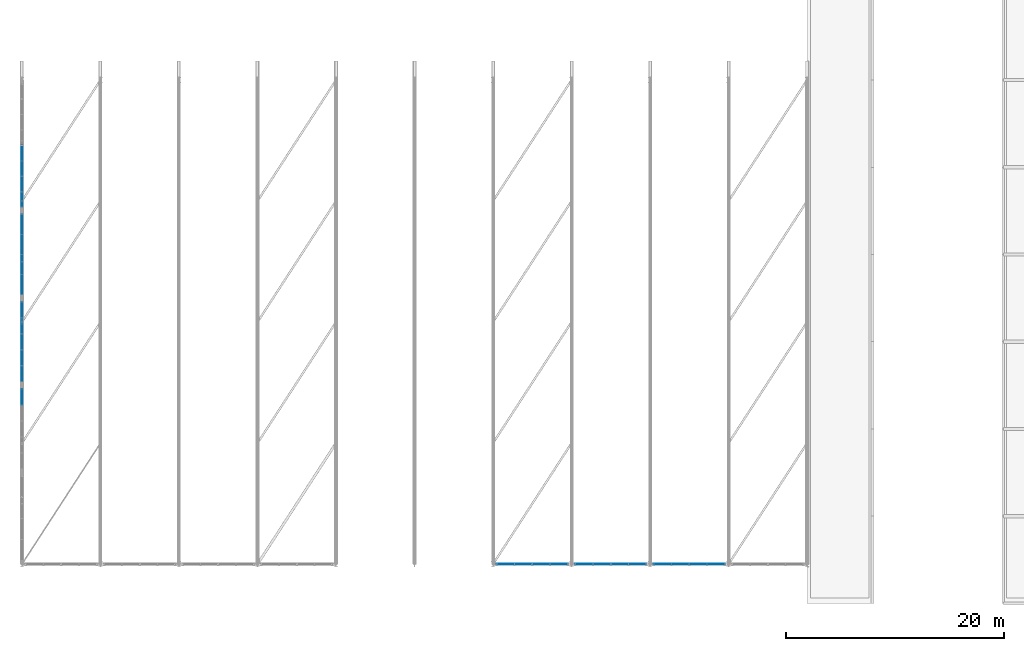
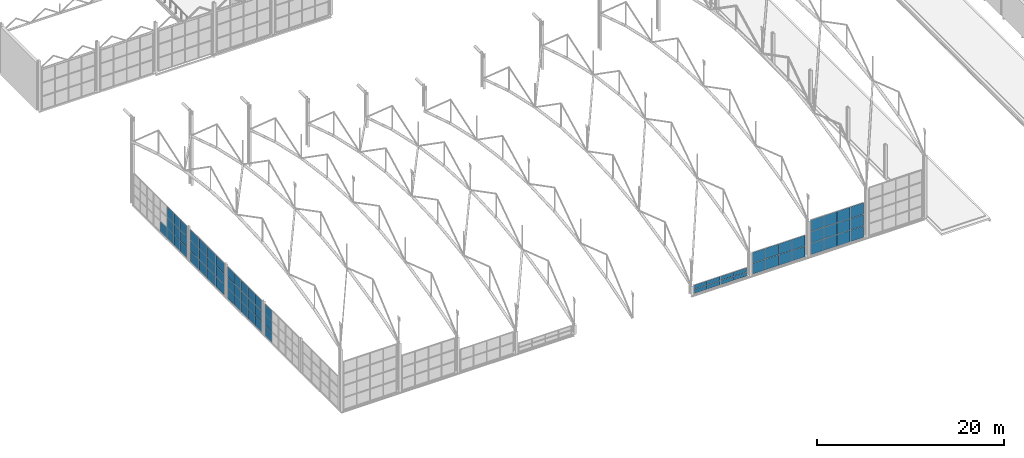
# One storey, part 121 of 153: 68 plates, 7 elements without a shape of their own.
"""IFC4 building model written with IfcOpenShell, lengths in metres."""

from ifc_helpers import new_model, si_unit, derived_unit, direction, frame, origin, origin_2d, place, context, subcontext, project, spatial, rectangle, extrude, material, layer, layer_set, type_object, element, aggregate, save


model = new_model("IFC4")

# Units and contexts
model_context = context("Model", 3, precision=1e-05, world=origin(), true_north=direction((0.0, 1.0)))
body_context = subcontext(model_context, "Body", "Model", "MODEL_VIEW")
ifc_project = project(units=[si_unit("LENGTHUNIT", "METRE"), si_unit("AREAUNIT", "SQUARE_METRE"), si_unit("VOLUMEUNIT", "CUBIC_METRE"), si_unit("PLANEANGLEUNIT", "RADIAN"), si_unit("MASSUNIT", "GRAM", prefix="KILO"), derived_unit("THERMALTRANSMITTANCEUNIT", [(si_unit("POWERUNIT", "WATT"), 1), (si_unit("LENGTHUNIT", "METRE"), -2), (si_unit("THERMODYNAMICTEMPERATUREUNIT", "KELVIN"), -1)])], contexts=[model_context])

# Site, building, storey
site_placement = place(None, origin())
site = spatial("IfcSite", under=ifc_project, at=site_placement, CompositionType="ELEMENT")
building_placement = place(site_placement, origin())
building = spatial("IfcBuilding", under=site, at=building_placement, Name="Keldorne Ridge Multi-Sports Centre", CompositionType="ELEMENT")
storey_placement = place(building_placement, frame((0.0, 0.0, 9.60009765625)))
storey = spatial("IfcBuildingStorey", under=building, at=storey_placement, Name="L02", CompositionType="ELEMENT", Elevation=9.60009765625)

# Curtain wall, plates
ifc_material_1 = material(Name="Anodized aluminium", Category="aluminium")
curtain_wall_type_1 = type_object("IfcCurtainWallType", Name="CW-CW-02", PredefinedType="NOTDEFINED", material=ifc_material_1)
curtain_wall_1_placement = place(storey_placement, origin())
curtain_wall_1 = element("IfcCurtainWall", 1, at=curtain_wall_1_placement, inside=storey, type_object=curtain_wall_type_1, Name="Main Hall south high clerestory 018", PredefinedType="NOTDEFINED")
ifc_material_2 = material(Name="Double low-e insulated glazing", Category="glass")
ifc_layer = layer(ifc_material_2, 0.035888671875)
ifc_layer_set = layer_set([ifc_layer])
plate_type = type_object("IfcPlateType", Name="PLT-GL-01", PredefinedType="CURTAIN_PANEL", material=ifc_layer_set)
plate_1_placement = place(storey_placement, frame((50.35498046875, 9.60009765625, 0.019775390625), z_axis=(0.0, 0.0, 1.0), x_axis=(1.0, 0.0, 0.0)))
plate_1 = element("IfcPlate", 2, at=plate_1_placement, type_object=plate_type, Name="CW-018 glazed panel 1.1", PredefinedType="CURTAIN_PANEL", context=body_context, shape_type="SweptSolid", body=[
    extrude(rectangle(XDim=1.590087890625, YDim=0.035888671875, at=origin_2d()), origin(), (0.0, 0.0, 1.0), 0.52001953125),
])
plate_2_placement = place(storey_placement, frame((50.35498046875, 9.60009765625, 0.579833984375), z_axis=(0.0, 0.0, 1.0), x_axis=(1.0, 0.0, 0.0)))
plate_2 = element("IfcPlate", 3, at=plate_2_placement, type_object=plate_type, Name="CW-018 glazed panel 1.2", PredefinedType="CURTAIN_PANEL", context=body_context, shape_type="SweptSolid", body=[
    extrude(rectangle(XDim=1.590087890625, YDim=0.035888671875, at=origin_2d()), origin(), (0.0, 0.0, 1.0), 0.52001953125),
])
plate_3_placement = place(storey_placement, frame((51.985107421875, 9.60009765625, 0.019775390625), z_axis=(0.0, 0.0, 1.0), x_axis=(1.0, 0.0, 0.0)))
plate_3 = element("IfcPlate", 4, at=plate_3_placement, type_object=plate_type, Name="CW-018 glazed panel 2.1", PredefinedType="CURTAIN_PANEL", context=body_context, shape_type="SweptSolid", body=[
    extrude(rectangle(XDim=1.590087890625, YDim=0.035888671875, at=origin_2d()), origin(), (0.0, 0.0, 1.0), 0.52001953125),
])
plate_4_placement = place(storey_placement, frame((51.985107421875, 9.60009765625, 0.579833984375), z_axis=(0.0, 0.0, 1.0), x_axis=(1.0, 0.0, 0.0)))
plate_4 = element("IfcPlate", 5, at=plate_4_placement, type_object=plate_type, Name="CW-018 glazed panel 2.2", PredefinedType="CURTAIN_PANEL", context=body_context, shape_type="SweptSolid", body=[
    extrude(rectangle(XDim=1.590087890625, YDim=0.035888671875, at=origin_2d()), origin(), (0.0, 0.0, 1.0), 0.52001953125),
])
plate_5_placement = place(storey_placement, frame((53.614990234375, 9.60009765625, 0.019775390625), z_axis=(0.0, 0.0, 1.0), x_axis=(1.0, 0.0, 0.0)))
plate_5 = element("IfcPlate", 6, at=plate_5_placement, type_object=plate_type, Name="CW-018 glazed panel 3.1", PredefinedType="CURTAIN_PANEL", context=body_context, shape_type="SweptSolid", body=[
    extrude(rectangle(XDim=1.590087890625, YDim=0.035888671875, at=origin_2d()), origin(), (0.0, 0.0, 1.0), 0.52001953125),
])
plate_6_placement = place(storey_placement, frame((53.614990234375, 9.60009765625, 0.579833984375), z_axis=(0.0, 0.0, 1.0), x_axis=(1.0, 0.0, 0.0)))
plate_6 = element("IfcPlate", 7, at=plate_6_placement, type_object=plate_type, Name="CW-018 glazed panel 3.2", PredefinedType="CURTAIN_PANEL", context=body_context, shape_type="SweptSolid", body=[
    extrude(rectangle(XDim=1.590087890625, YDim=0.035888671875, at=origin_2d()), origin(), (0.0, 0.0, 1.0), 0.52001953125),
])
plate_7_placement = place(storey_placement, frame((55.2451171875, 9.60009765625, 0.019775390625), z_axis=(0.0, 0.0, 1.0), x_axis=(1.0, 0.0, 0.0)))
plate_7 = element("IfcPlate", 8, at=plate_7_placement, type_object=plate_type, Name="CW-018 glazed panel 4.1", PredefinedType="CURTAIN_PANEL", context=body_context, shape_type="SweptSolid", body=[
    extrude(rectangle(XDim=1.590087890625, YDim=0.035888671875, at=origin_2d()), origin(), (0.0, 0.0, 1.0), 0.52001953125),
])
plate_8_placement = place(storey_placement, frame((55.2451171875, 9.60009765625, 0.579833984375), z_axis=(0.0, 0.0, 1.0), x_axis=(1.0, 0.0, 0.0)))
plate_8 = element("IfcPlate", 9, at=plate_8_placement, type_object=plate_type, Name="CW-018 glazed panel 4.2", PredefinedType="CURTAIN_PANEL", context=body_context, shape_type="SweptSolid", body=[
    extrude(rectangle(XDim=1.590087890625, YDim=0.035888671875, at=origin_2d()), origin(), (0.0, 0.0, 1.0), 0.52001953125),
])
aggregate(curtain_wall_1, [plate_1, plate_2, plate_3, plate_4, plate_5, plate_6, plate_7, plate_8])

curtain_wall_type_2 = type_object("IfcCurtainWallType", Name="CW-CW-05", PredefinedType="NOTDEFINED", material=ifc_material_1)
curtain_wall_2_placement = place(storey_placement, origin())
curtain_wall_2 = element("IfcCurtainWall", 10, at=curtain_wall_2_placement, inside=storey, type_object=curtain_wall_type_2, Name="Main Hall south high clerestory 021", PredefinedType="NOTDEFINED")
plate_9_placement = place(storey_placement, frame((57.554931640625, 9.60009765625, 0.02001953125), z_axis=(0.0, 0.0, 1.0), x_axis=(1.0, 0.0, 0.0)))
plate_9 = element("IfcPlate", 11, at=plate_9_placement, type_object=plate_type, Name="CW-021 glazed panel 1.1", PredefinedType="CURTAIN_PANEL", context=body_context, shape_type="SweptSolid", body=[
    extrude(rectangle(XDim=1.590087890625, YDim=0.035888671875, at=origin_2d()), origin(), (0.0, 0.0, 1.0), 1.3798828125),
])
plate_10_placement = place(storey_placement, frame((57.554931640625, 9.60009765625, 1.43994140625), z_axis=(0.0, 0.0, 1.0), x_axis=(1.0, 0.0, 0.0)))
plate_10 = element("IfcPlate", 12, at=plate_10_placement, type_object=plate_type, Name="CW-021 glazed panel 1.2", PredefinedType="CURTAIN_PANEL", context=body_context, shape_type="SweptSolid", body=[
    extrude(rectangle(XDim=1.590087890625, YDim=0.035888671875, at=origin_2d()), origin(), (0.0, 0.0, 1.0), 1.3798828125),
])
plate_11_placement = place(storey_placement, frame((59.18505859375, 9.60009765625, 0.02001953125), z_axis=(0.0, 0.0, 1.0), x_axis=(1.0, 0.0, 0.0)))
plate_11 = element("IfcPlate", 13, at=plate_11_placement, type_object=plate_type, Name="CW-021 glazed panel 2.1", PredefinedType="CURTAIN_PANEL", context=body_context, shape_type="SweptSolid", body=[
    extrude(rectangle(XDim=1.590087890625, YDim=0.035888671875, at=origin_2d()), origin(), (0.0, 0.0, 1.0), 1.3798828125),
])
plate_12_placement = place(storey_placement, frame((59.18505859375, 9.60009765625, 1.43994140625), z_axis=(0.0, 0.0, 1.0), x_axis=(1.0, 0.0, 0.0)))
plate_12 = element("IfcPlate", 14, at=plate_12_placement, type_object=plate_type, Name="CW-021 glazed panel 2.2", PredefinedType="CURTAIN_PANEL", context=body_context, shape_type="SweptSolid", body=[
    extrude(rectangle(XDim=1.590087890625, YDim=0.035888671875, at=origin_2d()), origin(), (0.0, 0.0, 1.0), 1.3798828125),
])
plate_13_placement = place(storey_placement, frame((60.81494140625, 9.60009765625, 0.02001953125), z_axis=(0.0, 0.0, 1.0), x_axis=(1.0, 0.0, 0.0)))
plate_13 = element("IfcPlate", 15, at=plate_13_placement, type_object=plate_type, Name="CW-021 glazed panel 3.1", PredefinedType="CURTAIN_PANEL", context=body_context, shape_type="SweptSolid", body=[
    extrude(rectangle(XDim=1.590087890625, YDim=0.035888671875, at=origin_2d()), origin(), (0.0, 0.0, 1.0), 1.3798828125),
])
plate_14_placement = place(storey_placement, frame((60.81494140625, 9.60009765625, 1.43994140625), z_axis=(0.0, 0.0, 1.0), x_axis=(1.0, 0.0, 0.0)))
plate_14 = element("IfcPlate", 16, at=plate_14_placement, type_object=plate_type, Name="CW-021 glazed panel 3.2", PredefinedType="CURTAIN_PANEL", context=body_context, shape_type="SweptSolid", body=[
    extrude(rectangle(XDim=1.590087890625, YDim=0.035888671875, at=origin_2d()), origin(), (0.0, 0.0, 1.0), 1.3798828125),
])
plate_15_placement = place(storey_placement, frame((62.445068359375, 9.60009765625, 0.02001953125), z_axis=(0.0, 0.0, 1.0), x_axis=(1.0, 0.0, 0.0)))
plate_15 = element("IfcPlate", 17, at=plate_15_placement, type_object=plate_type, Name="CW-021 glazed panel 4.1", PredefinedType="CURTAIN_PANEL", context=body_context, shape_type="SweptSolid", body=[
    extrude(rectangle(XDim=1.590087890625, YDim=0.035888671875, at=origin_2d()), origin(), (0.0, 0.0, 1.0), 1.3798828125),
])
plate_16_placement = place(storey_placement, frame((62.445068359375, 9.60009765625, 1.43994140625), z_axis=(0.0, 0.0, 1.0), x_axis=(1.0, 0.0, 0.0)))
plate_16 = element("IfcPlate", 18, at=plate_16_placement, type_object=plate_type, Name="CW-021 glazed panel 4.2", PredefinedType="CURTAIN_PANEL", context=body_context, shape_type="SweptSolid", body=[
    extrude(rectangle(XDim=1.590087890625, YDim=0.035888671875, at=origin_2d()), origin(), (0.0, 0.0, 1.0), 1.3798828125),
])
aggregate(curtain_wall_2, [plate_9, plate_10, plate_11, plate_12, plate_13, plate_14, plate_15, plate_16])

curtain_wall_type_3 = type_object("IfcCurtainWallType", Name="CW-CW-08", PredefinedType="NOTDEFINED", material=ifc_material_1)
curtain_wall_3_placement = place(storey_placement, origin())
curtain_wall_3 = element("IfcCurtainWall", 19, at=curtain_wall_3_placement, inside=storey, type_object=curtain_wall_type_3, Name="Main Hall south high clerestory 024", PredefinedType="NOTDEFINED")
plate_17_placement = place(storey_placement, frame((64.7548828125, 9.60009765625, 0.02001953125), z_axis=(0.0, 0.0, 1.0), x_axis=(1.0, 0.0, 0.0)))
plate_17 = element("IfcPlate", 20, at=plate_17_placement, type_object=plate_type, Name="CW-024 glazed panel 1.1", PredefinedType="CURTAIN_PANEL", context=body_context, shape_type="SweptSolid", body=[
    extrude(rectangle(XDim=1.590087890625, YDim=0.035888671875, at=origin_2d()), origin(), (0.0, 0.0, 1.0), 1.47998046875),
])
plate_18_placement = place(storey_placement, frame((64.7548828125, 9.60009765625, 1.539794921875), z_axis=(0.0, 0.0, 1.0), x_axis=(1.0, 0.0, 0.0)))
plate_18 = element("IfcPlate", 21, at=plate_18_placement, type_object=plate_type, Name="CW-024 glazed panel 1.2", PredefinedType="CURTAIN_PANEL", context=body_context, shape_type="SweptSolid", body=[
    extrude(rectangle(XDim=1.590087890625, YDim=0.035888671875, at=origin_2d()), origin(), (0.0, 0.0, 1.0), 1.47998046875),
])
plate_19_placement = place(storey_placement, frame((64.7548828125, 9.60009765625, 3.059814453125), z_axis=(0.0, 0.0, 1.0), x_axis=(1.0, 0.0, 0.0)))
plate_19 = element("IfcPlate", 22, at=plate_19_placement, type_object=plate_type, Name="CW-024 glazed panel 1.3", PredefinedType="CURTAIN_PANEL", context=body_context, shape_type="SweptSolid", body=[
    extrude(rectangle(XDim=1.590087890625, YDim=0.035888671875, at=origin_2d()), origin(), (0.0, 0.0, 1.0), 1.47998046875),
])
plate_20_placement = place(storey_placement, frame((66.385009765625, 9.60009765625, 0.02001953125), z_axis=(0.0, 0.0, 1.0), x_axis=(1.0, 0.0, 0.0)))
plate_20 = element("IfcPlate", 23, at=plate_20_placement, type_object=plate_type, Name="CW-024 glazed panel 2.1", PredefinedType="CURTAIN_PANEL", context=body_context, shape_type="SweptSolid", body=[
    extrude(rectangle(XDim=1.590087890625, YDim=0.035888671875, at=origin_2d()), origin(), (0.0, 0.0, 1.0), 1.47998046875),
])
plate_21_placement = place(storey_placement, frame((66.385009765625, 9.60009765625, 1.539794921875), z_axis=(0.0, 0.0, 1.0), x_axis=(1.0, 0.0, 0.0)))
plate_21 = element("IfcPlate", 24, at=plate_21_placement, type_object=plate_type, Name="CW-024 glazed panel 2.2", PredefinedType="CURTAIN_PANEL", context=body_context, shape_type="SweptSolid", body=[
    extrude(rectangle(XDim=1.590087890625, YDim=0.035888671875, at=origin_2d()), origin(), (0.0, 0.0, 1.0), 1.47998046875),
])
plate_22_placement = place(storey_placement, frame((66.385009765625, 9.60009765625, 3.059814453125), z_axis=(0.0, 0.0, 1.0), x_axis=(1.0, 0.0, 0.0)))
plate_22 = element("IfcPlate", 25, at=plate_22_placement, type_object=plate_type, Name="CW-024 glazed panel 2.3", PredefinedType="CURTAIN_PANEL", context=body_context, shape_type="SweptSolid", body=[
    extrude(rectangle(XDim=1.590087890625, YDim=0.035888671875, at=origin_2d()), origin(), (0.0, 0.0, 1.0), 1.47998046875),
])
plate_23_placement = place(storey_placement, frame((68.014892578125, 9.60009765625, 0.02001953125), z_axis=(0.0, 0.0, 1.0), x_axis=(1.0, 0.0, 0.0)))
plate_23 = element("IfcPlate", 26, at=plate_23_placement, type_object=plate_type, Name="CW-024 glazed panel 3.1", PredefinedType="CURTAIN_PANEL", context=body_context, shape_type="SweptSolid", body=[
    extrude(rectangle(XDim=1.590087890625, YDim=0.035888671875, at=origin_2d()), origin(), (0.0, 0.0, 1.0), 1.47998046875),
])
plate_24_placement = place(storey_placement, frame((68.014892578125, 9.60009765625, 1.539794921875), z_axis=(0.0, 0.0, 1.0), x_axis=(1.0, 0.0, 0.0)))
plate_24 = element("IfcPlate", 27, at=plate_24_placement, type_object=plate_type, Name="CW-024 glazed panel 3.2", PredefinedType="CURTAIN_PANEL", context=body_context, shape_type="SweptSolid", body=[
    extrude(rectangle(XDim=1.590087890625, YDim=0.035888671875, at=origin_2d()), origin(), (0.0, 0.0, 1.0), 1.47998046875),
])
plate_25_placement = place(storey_placement, frame((68.014892578125, 9.60009765625, 3.059814453125), z_axis=(0.0, 0.0, 1.0), x_axis=(1.0, 0.0, 0.0)))
plate_25 = element("IfcPlate", 28, at=plate_25_placement, type_object=plate_type, Name="CW-024 glazed panel 3.3", PredefinedType="CURTAIN_PANEL", context=body_context, shape_type="SweptSolid", body=[
    extrude(rectangle(XDim=1.590087890625, YDim=0.035888671875, at=origin_2d()), origin(), (0.0, 0.0, 1.0), 1.47998046875),
])
plate_26_placement = place(storey_placement, frame((69.64501953125, 9.60009765625, 0.02001953125), z_axis=(0.0, 0.0, 1.0), x_axis=(1.0, 0.0, 0.0)))
plate_26 = element("IfcPlate", 29, at=plate_26_placement, type_object=plate_type, Name="CW-024 glazed panel 4.1", PredefinedType="CURTAIN_PANEL", context=body_context, shape_type="SweptSolid", body=[
    extrude(rectangle(XDim=1.590087890625, YDim=0.035888671875, at=origin_2d()), origin(), (0.0, 0.0, 1.0), 1.47998046875),
])
plate_27_placement = place(storey_placement, frame((69.64501953125, 9.60009765625, 1.539794921875), z_axis=(0.0, 0.0, 1.0), x_axis=(1.0, 0.0, 0.0)))
plate_27 = element("IfcPlate", 30, at=plate_27_placement, type_object=plate_type, Name="CW-024 glazed panel 4.2", PredefinedType="CURTAIN_PANEL", context=body_context, shape_type="SweptSolid", body=[
    extrude(rectangle(XDim=1.590087890625, YDim=0.035888671875, at=origin_2d()), origin(), (0.0, 0.0, 1.0), 1.47998046875),
])
plate_28_placement = place(storey_placement, frame((69.64501953125, 9.60009765625, 3.059814453125), z_axis=(0.0, 0.0, 1.0), x_axis=(1.0, 0.0, 0.0)))
plate_28 = element("IfcPlate", 31, at=plate_28_placement, type_object=plate_type, Name="CW-024 glazed panel 4.3", PredefinedType="CURTAIN_PANEL", context=body_context, shape_type="SweptSolid", body=[
    extrude(rectangle(XDim=1.590087890625, YDim=0.035888671875, at=origin_2d()), origin(), (0.0, 0.0, 1.0), 1.47998046875),
])
aggregate(curtain_wall_3, [plate_17, plate_18, plate_19, plate_20, plate_21, plate_22, plate_23, plate_24, plate_25, plate_26, plate_27, plate_28])

curtain_wall_type_4 = type_object("IfcCurtainWallType", Name="CW-CW-06", PredefinedType="NOTDEFINED", material=ifc_material_1)
curtain_wall_4_placement = place(storey_placement, origin())
curtain_wall_4 = element("IfcCurtainWall", 32, at=curtain_wall_4_placement, inside=storey, type_object=curtain_wall_type_4, Name="Main Hall west high gable glazing 030", PredefinedType="NOTDEFINED")
plate_29_placement = place(storey_placement, frame((6.0, 24.927978515625, 0.02001953125), z_axis=(0.0, 0.0, 1.0), x_axis=(0.0, -1.0, 0.0)))
plate_29 = element("IfcPlate", 33, at=plate_29_placement, type_object=plate_type, Name="CW-030 glazed panel 1.1", PredefinedType="CURTAIN_PANEL", context=body_context, shape_type="SweptSolid", body=[
    extrude(rectangle(XDim=1.424072265625, YDim=0.035888671875, at=origin_2d()), origin(), (0.0, 0.0, 1.0), 1.360107421875),
])
plate_30_placement = place(storey_placement, frame((6.0, 24.927978515625, 1.419921875), z_axis=(0.0, 0.0, 1.0), x_axis=(0.0, -1.0, 0.0)))
plate_30 = element("IfcPlate", 34, at=plate_30_placement, type_object=plate_type, Name="CW-030 glazed panel 1.2", PredefinedType="CURTAIN_PANEL", context=body_context, shape_type="SweptSolid", body=[
    extrude(rectangle(XDim=1.424072265625, YDim=0.035888671875, at=origin_2d()), origin(), (0.0, 0.0, 1.0), 1.360107421875),
])
plate_31_placement = place(storey_placement, frame((6.0, 24.927978515625, 2.81982421875), z_axis=(0.0, 0.0, 1.0), x_axis=(0.0, -1.0, 0.0)))
plate_31 = element("IfcPlate", 35, at=plate_31_placement, type_object=plate_type, Name="CW-030 glazed panel 1.3", PredefinedType="CURTAIN_PANEL", context=body_context, shape_type="SweptSolid", body=[
    extrude(rectangle(XDim=1.424072265625, YDim=0.035888671875, at=origin_2d()), origin(), (0.0, 0.0, 1.0), 1.360107421875),
])
aggregate(curtain_wall_4, [plate_29, plate_30, plate_31])

curtain_wall_type_5 = type_object("IfcCurtainWallType", Name="CW-CW-07", PredefinedType="NOTDEFINED", material=ifc_material_1)
curtain_wall_5_placement = place(storey_placement, origin())
curtain_wall_5 = element("IfcCurtainWall", 36, at=curtain_wall_5_placement, inside=storey, type_object=curtain_wall_type_5, Name="Main Hall west high gable glazing 031", PredefinedType="NOTDEFINED")
plate_32_placement = place(storey_placement, frame((6.0, 32.927978515625, 0.02001953125), z_axis=(0.0, 0.0, 1.0), x_axis=(0.0, -1.0, 0.0)))
plate_32 = element("IfcPlate", 37, at=plate_32_placement, type_object=plate_type, Name="CW-031 glazed panel 1.1", PredefinedType="CURTAIN_PANEL", context=body_context, shape_type="SweptSolid", body=[
    extrude(rectangle(XDim=1.424072265625, YDim=0.035888671875, at=origin_2d()), origin(), (0.0, 0.0, 1.0), 1.360107421875),
])
plate_33_placement = place(storey_placement, frame((6.0, 32.927978515625, 1.419921875), z_axis=(0.0, 0.0, 1.0), x_axis=(0.0, -1.0, 0.0)))
plate_33 = element("IfcPlate", 38, at=plate_33_placement, type_object=plate_type, Name="CW-031 glazed panel 1.2", PredefinedType="CURTAIN_PANEL", context=body_context, shape_type="SweptSolid", body=[
    extrude(rectangle(XDim=1.424072265625, YDim=0.035888671875, at=origin_2d()), origin(), (0.0, 0.0, 1.0), 1.360107421875),
])
plate_34_placement = place(storey_placement, frame((6.0, 32.927978515625, 2.81982421875), z_axis=(0.0, 0.0, 1.0), x_axis=(0.0, -1.0, 0.0)))
plate_34 = element("IfcPlate", 39, at=plate_34_placement, type_object=plate_type, Name="CW-031 glazed panel 1.3", PredefinedType="CURTAIN_PANEL", context=body_context, shape_type="SweptSolid", body=[
    extrude(rectangle(XDim=1.424072265625, YDim=0.035888671875, at=origin_2d()), origin(), (0.0, 0.0, 1.0), 1.360107421875),
])
plate_35_placement = place(storey_placement, frame((6.0, 31.464111328125, 0.02001953125), z_axis=(0.0, 0.0, 1.0), x_axis=(0.0, -1.0, 0.0)))
plate_35 = element("IfcPlate", 40, at=plate_35_placement, type_object=plate_type, Name="CW-031 glazed panel 2.1", PredefinedType="CURTAIN_PANEL", context=body_context, shape_type="SweptSolid", body=[
    extrude(rectangle(XDim=1.424072265625, YDim=0.035888671875, at=origin_2d()), origin(), (0.0, 0.0, 1.0), 1.360107421875),
])
plate_36_placement = place(storey_placement, frame((6.0, 31.464111328125, 1.419921875), z_axis=(0.0, 0.0, 1.0), x_axis=(0.0, -1.0, 0.0)))
plate_36 = element("IfcPlate", 41, at=plate_36_placement, type_object=plate_type, Name="CW-031 glazed panel 2.2", PredefinedType="CURTAIN_PANEL", context=body_context, shape_type="SweptSolid", body=[
    extrude(rectangle(XDim=1.424072265625, YDim=0.035888671875, at=origin_2d()), origin(), (0.0, 0.0, 1.0), 1.360107421875),
])
plate_37_placement = place(storey_placement, frame((6.0, 31.464111328125, 2.81982421875), z_axis=(0.0, 0.0, 1.0), x_axis=(0.0, -1.0, 0.0)))
plate_37 = element("IfcPlate", 42, at=plate_37_placement, type_object=plate_type, Name="CW-031 glazed panel 2.3", PredefinedType="CURTAIN_PANEL", context=body_context, shape_type="SweptSolid", body=[
    extrude(rectangle(XDim=1.424072265625, YDim=0.035888671875, at=origin_2d()), origin(), (0.0, 0.0, 1.0), 1.360107421875),
])
plate_38_placement = place(storey_placement, frame((6.0, 30.0, 0.02001953125), z_axis=(0.0, 0.0, 1.0), x_axis=(0.0, -1.0, 0.0)))
plate_38 = element("IfcPlate", 43, at=plate_38_placement, type_object=plate_type, Name="CW-031 glazed panel 3.1", PredefinedType="CURTAIN_PANEL", context=body_context, shape_type="SweptSolid", body=[
    extrude(rectangle(XDim=1.424072265625, YDim=0.035888671875, at=origin_2d()), origin(), (0.0, 0.0, 1.0), 1.360107421875),
])
plate_39_placement = place(storey_placement, frame((6.0, 30.0, 1.419921875), z_axis=(0.0, 0.0, 1.0), x_axis=(0.0, -1.0, 0.0)))
plate_39 = element("IfcPlate", 44, at=plate_39_placement, type_object=plate_type, Name="CW-031 glazed panel 3.2", PredefinedType="CURTAIN_PANEL", context=body_context, shape_type="SweptSolid", body=[
    extrude(rectangle(XDim=1.424072265625, YDim=0.035888671875, at=origin_2d()), origin(), (0.0, 0.0, 1.0), 1.360107421875),
])
plate_40_placement = place(storey_placement, frame((6.0, 30.0, 2.81982421875), z_axis=(0.0, 0.0, 1.0), x_axis=(0.0, -1.0, 0.0)))
plate_40 = element("IfcPlate", 45, at=plate_40_placement, type_object=plate_type, Name="CW-031 glazed panel 3.3", PredefinedType="CURTAIN_PANEL", context=body_context, shape_type="SweptSolid", body=[
    extrude(rectangle(XDim=1.424072265625, YDim=0.035888671875, at=origin_2d()), origin(), (0.0, 0.0, 1.0), 1.360107421875),
])
plate_41_placement = place(storey_placement, frame((6.0, 28.535888671875, 0.02001953125), z_axis=(0.0, 0.0, 1.0), x_axis=(0.0, -1.0, 0.0)))
plate_41 = element("IfcPlate", 46, at=plate_41_placement, type_object=plate_type, Name="CW-031 glazed panel 4.1", PredefinedType="CURTAIN_PANEL", context=body_context, shape_type="SweptSolid", body=[
    extrude(rectangle(XDim=1.424072265625, YDim=0.035888671875, at=origin_2d()), origin(), (0.0, 0.0, 1.0), 1.360107421875),
])
plate_42_placement = place(storey_placement, frame((6.0, 28.535888671875, 1.419921875), z_axis=(0.0, 0.0, 1.0), x_axis=(0.0, -1.0, 0.0)))
plate_42 = element("IfcPlate", 47, at=plate_42_placement, type_object=plate_type, Name="CW-031 glazed panel 4.2", PredefinedType="CURTAIN_PANEL", context=body_context, shape_type="SweptSolid", body=[
    extrude(rectangle(XDim=1.424072265625, YDim=0.035888671875, at=origin_2d()), origin(), (0.0, 0.0, 1.0), 1.360107421875),
])
plate_43_placement = place(storey_placement, frame((6.0, 28.535888671875, 2.81982421875), z_axis=(0.0, 0.0, 1.0), x_axis=(0.0, -1.0, 0.0)))
plate_43 = element("IfcPlate", 48, at=plate_43_placement, type_object=plate_type, Name="CW-031 glazed panel 4.3", PredefinedType="CURTAIN_PANEL", context=body_context, shape_type="SweptSolid", body=[
    extrude(rectangle(XDim=1.424072265625, YDim=0.035888671875, at=origin_2d()), origin(), (0.0, 0.0, 1.0), 1.360107421875),
])
plate_44_placement = place(storey_placement, frame((6.0, 27.072021484375, 0.02001953125), z_axis=(0.0, 0.0, 1.0), x_axis=(0.0, -1.0, 0.0)))
plate_44 = element("IfcPlate", 49, at=plate_44_placement, type_object=plate_type, Name="CW-031 glazed panel 5.1", PredefinedType="CURTAIN_PANEL", context=body_context, shape_type="SweptSolid", body=[
    extrude(rectangle(XDim=1.424072265625, YDim=0.035888671875, at=origin_2d()), origin(), (0.0, 0.0, 1.0), 1.360107421875),
])
plate_45_placement = place(storey_placement, frame((6.0, 27.072021484375, 1.419921875), z_axis=(0.0, 0.0, 1.0), x_axis=(0.0, -1.0, 0.0)))
plate_45 = element("IfcPlate", 50, at=plate_45_placement, type_object=plate_type, Name="CW-031 glazed panel 5.2", PredefinedType="CURTAIN_PANEL", context=body_context, shape_type="SweptSolid", body=[
    extrude(rectangle(XDim=1.424072265625, YDim=0.035888671875, at=origin_2d()), origin(), (0.0, 0.0, 1.0), 1.360107421875),
])
plate_46_placement = place(storey_placement, frame((6.0, 27.072021484375, 2.81982421875), z_axis=(0.0, 0.0, 1.0), x_axis=(0.0, -1.0, 0.0)))
plate_46 = element("IfcPlate", 51, at=plate_46_placement, type_object=plate_type, Name="CW-031 glazed panel 5.3", PredefinedType="CURTAIN_PANEL", context=body_context, shape_type="SweptSolid", body=[
    extrude(rectangle(XDim=1.424072265625, YDim=0.035888671875, at=origin_2d()), origin(), (0.0, 0.0, 1.0), 1.360107421875),
])
aggregate(curtain_wall_5, [plate_32, plate_33, plate_34, plate_35, plate_36, plate_37, plate_38, plate_39, plate_40, plate_41, plate_42, plate_43, plate_44, plate_45, plate_46])

curtain_wall_6_placement = place(storey_placement, origin())
curtain_wall_6 = element("IfcCurtainWall", 52, at=curtain_wall_6_placement, inside=storey, type_object=curtain_wall_type_3, Name="Main Hall west high gable glazing 032", PredefinedType="NOTDEFINED")
plate_47_placement = place(storey_placement, frame((6.0, 40.7451171875, 0.02001953125), z_axis=(0.0, 0.0, 1.0), x_axis=(0.0, -1.0, 0.0)))
plate_47 = element("IfcPlate", 53, at=plate_47_placement, type_object=plate_type, Name="CW-032 glazed panel 1.1", PredefinedType="CURTAIN_PANEL", context=body_context, shape_type="SweptSolid", body=[
    extrude(rectangle(XDim=1.7900390625, YDim=0.035888671875, at=origin_2d()), origin(), (0.0, 0.0, 1.0), 1.360107421875),
])
plate_48_placement = place(storey_placement, frame((6.0, 40.7451171875, 1.419921875), z_axis=(0.0, 0.0, 1.0), x_axis=(0.0, -1.0, 0.0)))
plate_48 = element("IfcPlate", 54, at=plate_48_placement, type_object=plate_type, Name="CW-032 glazed panel 1.2", PredefinedType="CURTAIN_PANEL", context=body_context, shape_type="SweptSolid", body=[
    extrude(rectangle(XDim=1.7900390625, YDim=0.035888671875, at=origin_2d()), origin(), (0.0, 0.0, 1.0), 1.360107421875),
])
plate_49_placement = place(storey_placement, frame((6.0, 40.7451171875, 2.81982421875), z_axis=(0.0, 0.0, 1.0), x_axis=(0.0, -1.0, 0.0)))
plate_49 = element("IfcPlate", 55, at=plate_49_placement, type_object=plate_type, Name="CW-032 glazed panel 1.3", PredefinedType="CURTAIN_PANEL", context=body_context, shape_type="SweptSolid", body=[
    extrude(rectangle(XDim=1.7900390625, YDim=0.035888671875, at=origin_2d()), origin(), (0.0, 0.0, 1.0), 1.360107421875),
])
plate_50_placement = place(storey_placement, frame((6.0, 38.9150390625, 0.02001953125), z_axis=(0.0, 0.0, 1.0), x_axis=(0.0, -1.0, 0.0)))
plate_50 = element("IfcPlate", 56, at=plate_50_placement, type_object=plate_type, Name="CW-032 glazed panel 2.1", PredefinedType="CURTAIN_PANEL", context=body_context, shape_type="SweptSolid", body=[
    extrude(rectangle(XDim=1.7900390625, YDim=0.035888671875, at=origin_2d()), origin(), (0.0, 0.0, 1.0), 1.360107421875),
])
plate_51_placement = place(storey_placement, frame((6.0, 38.9150390625, 1.419921875), z_axis=(0.0, 0.0, 1.0), x_axis=(0.0, -1.0, 0.0)))
plate_51 = element("IfcPlate", 57, at=plate_51_placement, type_object=plate_type, Name="CW-032 glazed panel 2.2", PredefinedType="CURTAIN_PANEL", context=body_context, shape_type="SweptSolid", body=[
    extrude(rectangle(XDim=1.7900390625, YDim=0.035888671875, at=origin_2d()), origin(), (0.0, 0.0, 1.0), 1.360107421875),
])
plate_52_placement = place(storey_placement, frame((6.0, 38.9150390625, 2.81982421875), z_axis=(0.0, 0.0, 1.0), x_axis=(0.0, -1.0, 0.0)))
plate_52 = element("IfcPlate", 58, at=plate_52_placement, type_object=plate_type, Name="CW-032 glazed panel 2.3", PredefinedType="CURTAIN_PANEL", context=body_context, shape_type="SweptSolid", body=[
    extrude(rectangle(XDim=1.7900390625, YDim=0.035888671875, at=origin_2d()), origin(), (0.0, 0.0, 1.0), 1.360107421875),
])
plate_53_placement = place(storey_placement, frame((6.0, 37.0849609375, 0.02001953125), z_axis=(0.0, 0.0, 1.0), x_axis=(0.0, -1.0, 0.0)))
plate_53 = element("IfcPlate", 59, at=plate_53_placement, type_object=plate_type, Name="CW-032 glazed panel 3.1", PredefinedType="CURTAIN_PANEL", context=body_context, shape_type="SweptSolid", body=[
    extrude(rectangle(XDim=1.7900390625, YDim=0.035888671875, at=origin_2d()), origin(), (0.0, 0.0, 1.0), 1.360107421875),
])
plate_54_placement = place(storey_placement, frame((6.0, 37.0849609375, 1.419921875), z_axis=(0.0, 0.0, 1.0), x_axis=(0.0, -1.0, 0.0)))
plate_54 = element("IfcPlate", 60, at=plate_54_placement, type_object=plate_type, Name="CW-032 glazed panel 3.2", PredefinedType="CURTAIN_PANEL", context=body_context, shape_type="SweptSolid", body=[
    extrude(rectangle(XDim=1.7900390625, YDim=0.035888671875, at=origin_2d()), origin(), (0.0, 0.0, 1.0), 1.360107421875),
])
plate_55_placement = place(storey_placement, frame((6.0, 37.0849609375, 2.81982421875), z_axis=(0.0, 0.0, 1.0), x_axis=(0.0, -1.0, 0.0)))
plate_55 = element("IfcPlate", 61, at=plate_55_placement, type_object=plate_type, Name="CW-032 glazed panel 3.3", PredefinedType="CURTAIN_PANEL", context=body_context, shape_type="SweptSolid", body=[
    extrude(rectangle(XDim=1.7900390625, YDim=0.035888671875, at=origin_2d()), origin(), (0.0, 0.0, 1.0), 1.360107421875),
])
plate_56_placement = place(storey_placement, frame((6.0, 35.2548828125, 0.02001953125), z_axis=(0.0, 0.0, 1.0), x_axis=(0.0, -1.0, 0.0)))
plate_56 = element("IfcPlate", 62, at=plate_56_placement, type_object=plate_type, Name="CW-032 glazed panel 4.1", PredefinedType="CURTAIN_PANEL", context=body_context, shape_type="SweptSolid", body=[
    extrude(rectangle(XDim=1.7900390625, YDim=0.035888671875, at=origin_2d()), origin(), (0.0, 0.0, 1.0), 1.360107421875),
])
plate_57_placement = place(storey_placement, frame((6.0, 35.2548828125, 1.419921875), z_axis=(0.0, 0.0, 1.0), x_axis=(0.0, -1.0, 0.0)))
plate_57 = element("IfcPlate", 63, at=plate_57_placement, type_object=plate_type, Name="CW-032 glazed panel 4.2", PredefinedType="CURTAIN_PANEL", context=body_context, shape_type="SweptSolid", body=[
    extrude(rectangle(XDim=1.7900390625, YDim=0.035888671875, at=origin_2d()), origin(), (0.0, 0.0, 1.0), 1.360107421875),
])
plate_58_placement = place(storey_placement, frame((6.0, 35.2548828125, 2.81982421875), z_axis=(0.0, 0.0, 1.0), x_axis=(0.0, -1.0, 0.0)))
plate_58 = element("IfcPlate", 64, at=plate_58_placement, type_object=plate_type, Name="CW-032 glazed panel 4.3", PredefinedType="CURTAIN_PANEL", context=body_context, shape_type="SweptSolid", body=[
    extrude(rectangle(XDim=1.7900390625, YDim=0.035888671875, at=origin_2d()), origin(), (0.0, 0.0, 1.0), 1.360107421875),
])
aggregate(curtain_wall_6, [plate_47, plate_48, plate_49, plate_50, plate_51, plate_52, plate_53, plate_54, plate_55, plate_56, plate_57, plate_58])

curtain_wall_type_6 = type_object("IfcCurtainWallType", Name="CW-CW-01", PredefinedType="NOTDEFINED", material=ifc_material_1)
curtain_wall_7_placement = place(storey_placement, origin())
curtain_wall_7 = element("IfcCurtainWall", 65, at=curtain_wall_7_placement, inside=storey, type_object=curtain_wall_type_6, Name="Main Hall west high gable glazing 033", PredefinedType="NOTDEFINED")
plate_59_placement = place(storey_placement, frame((6.0, 47.29248046875, 0.02001953125), z_axis=(0.0, 0.0, 1.0), x_axis=(0.0, -1.0, 0.0)))
plate_59 = element("IfcPlate", 66, at=plate_59_placement, type_object=plate_type, Name="CW-033 glazed panel 5.1", PredefinedType="CURTAIN_PANEL", context=body_context, shape_type="SweptSolid", body=[
    extrude(rectangle(XDim=1.375, YDim=0.035888671875, at=origin_2d()), origin(), (0.0, 0.0, 1.0), 1.360107421875),
])
plate_60_placement = place(storey_placement, frame((6.0, 45.87744140625, 0.02001953125), z_axis=(0.0, 0.0, 1.0), x_axis=(0.0, -1.0, 0.0)))
plate_60 = element("IfcPlate", 67, at=plate_60_placement, type_object=plate_type, Name="CW-033 glazed panel 6.1", PredefinedType="CURTAIN_PANEL", context=body_context, shape_type="SweptSolid", body=[
    extrude(rectangle(XDim=1.375, YDim=0.035888671875, at=origin_2d()), origin(), (0.0, 0.0, 1.0), 1.360107421875),
])
plate_61_placement = place(storey_placement, frame((6.0, 45.87744140625, 1.419921875), z_axis=(0.0, 0.0, 1.0), x_axis=(0.0, -1.0, 0.0)))
plate_61 = element("IfcPlate", 68, at=plate_61_placement, type_object=plate_type, Name="CW-033 glazed panel 6.2", PredefinedType="CURTAIN_PANEL", context=body_context, shape_type="SweptSolid", body=[
    extrude(rectangle(XDim=1.375, YDim=0.035888671875, at=origin_2d()), origin(), (0.0, 0.0, 1.0), 1.360107421875),
])
plate_62_placement = place(storey_placement, frame((6.0, 45.87744140625, 2.81982421875), z_axis=(0.0, 0.0, 1.0), x_axis=(0.0, -1.0, 0.0)))
plate_62 = element("IfcPlate", 69, at=plate_62_placement, type_object=plate_type, Name="CW-033 glazed panel 6.3", PredefinedType="CURTAIN_PANEL", context=body_context, shape_type="SweptSolid", body=[
    extrude(rectangle(XDim=1.375, YDim=0.035888671875, at=origin_2d()), origin(), (0.0, 0.0, 1.0), 1.360107421875),
])
plate_63_placement = place(storey_placement, frame((6.0, 44.46240234375, 0.02001953125), z_axis=(0.0, 0.0, 1.0), x_axis=(0.0, -1.0, 0.0)))
plate_63 = element("IfcPlate", 70, at=plate_63_placement, type_object=plate_type, Name="CW-033 glazed panel 7.1", PredefinedType="CURTAIN_PANEL", context=body_context, shape_type="SweptSolid", body=[
    extrude(rectangle(XDim=1.375, YDim=0.035888671875, at=origin_2d()), origin(), (0.0, 0.0, 1.0), 1.360107421875),
])
plate_64_placement = place(storey_placement, frame((6.0, 44.46240234375, 1.419921875), z_axis=(0.0, 0.0, 1.0), x_axis=(0.0, -1.0, 0.0)))
plate_64 = element("IfcPlate", 71, at=plate_64_placement, type_object=plate_type, Name="CW-033 glazed panel 7.2", PredefinedType="CURTAIN_PANEL", context=body_context, shape_type="SweptSolid", body=[
    extrude(rectangle(XDim=1.375, YDim=0.035888671875, at=origin_2d()), origin(), (0.0, 0.0, 1.0), 1.360107421875),
])
plate_65_placement = place(storey_placement, frame((6.0, 44.46240234375, 2.81982421875), z_axis=(0.0, 0.0, 1.0), x_axis=(0.0, -1.0, 0.0)))
plate_65 = element("IfcPlate", 72, at=plate_65_placement, type_object=plate_type, Name="CW-033 glazed panel 7.3", PredefinedType="CURTAIN_PANEL", context=body_context, shape_type="SweptSolid", body=[
    extrude(rectangle(XDim=1.375, YDim=0.035888671875, at=origin_2d()), origin(), (0.0, 0.0, 1.0), 1.360107421875),
])
plate_66_placement = place(storey_placement, frame((6.0, 43.047607421875, 0.02001953125), z_axis=(0.0, 0.0, 1.0), x_axis=(0.0, -1.0, 0.0)))
plate_66 = element("IfcPlate", 73, at=plate_66_placement, type_object=plate_type, Name="CW-033 glazed panel 8.1", PredefinedType="CURTAIN_PANEL", context=body_context, shape_type="SweptSolid", body=[
    extrude(rectangle(XDim=1.375, YDim=0.035888671875, at=origin_2d()), origin(), (0.0, 0.0, 1.0), 1.360107421875),
])
plate_67_placement = place(storey_placement, frame((6.0, 43.047607421875, 1.419921875), z_axis=(0.0, 0.0, 1.0), x_axis=(0.0, -1.0, 0.0)))
plate_67 = element("IfcPlate", 74, at=plate_67_placement, type_object=plate_type, Name="CW-033 glazed panel 8.2", PredefinedType="CURTAIN_PANEL", context=body_context, shape_type="SweptSolid", body=[
    extrude(rectangle(XDim=1.375, YDim=0.035888671875, at=origin_2d()), origin(), (0.0, 0.0, 1.0), 1.360107421875),
])
plate_68_placement = place(storey_placement, frame((6.0, 43.047607421875, 2.81982421875), z_axis=(0.0, 0.0, 1.0), x_axis=(0.0, -1.0, 0.0)))
plate_68 = element("IfcPlate", 75, at=plate_68_placement, type_object=plate_type, Name="CW-033 glazed panel 8.3", PredefinedType="CURTAIN_PANEL", context=body_context, shape_type="SweptSolid", body=[
    extrude(rectangle(XDim=1.375, YDim=0.035888671875, at=origin_2d()), origin(), (0.0, 0.0, 1.0), 1.360107421875),
])
aggregate(curtain_wall_7, [plate_59, plate_60, plate_61, plate_62, plate_63, plate_64, plate_65, plate_66, plate_67, plate_68])

save(model, "model.ifc")
